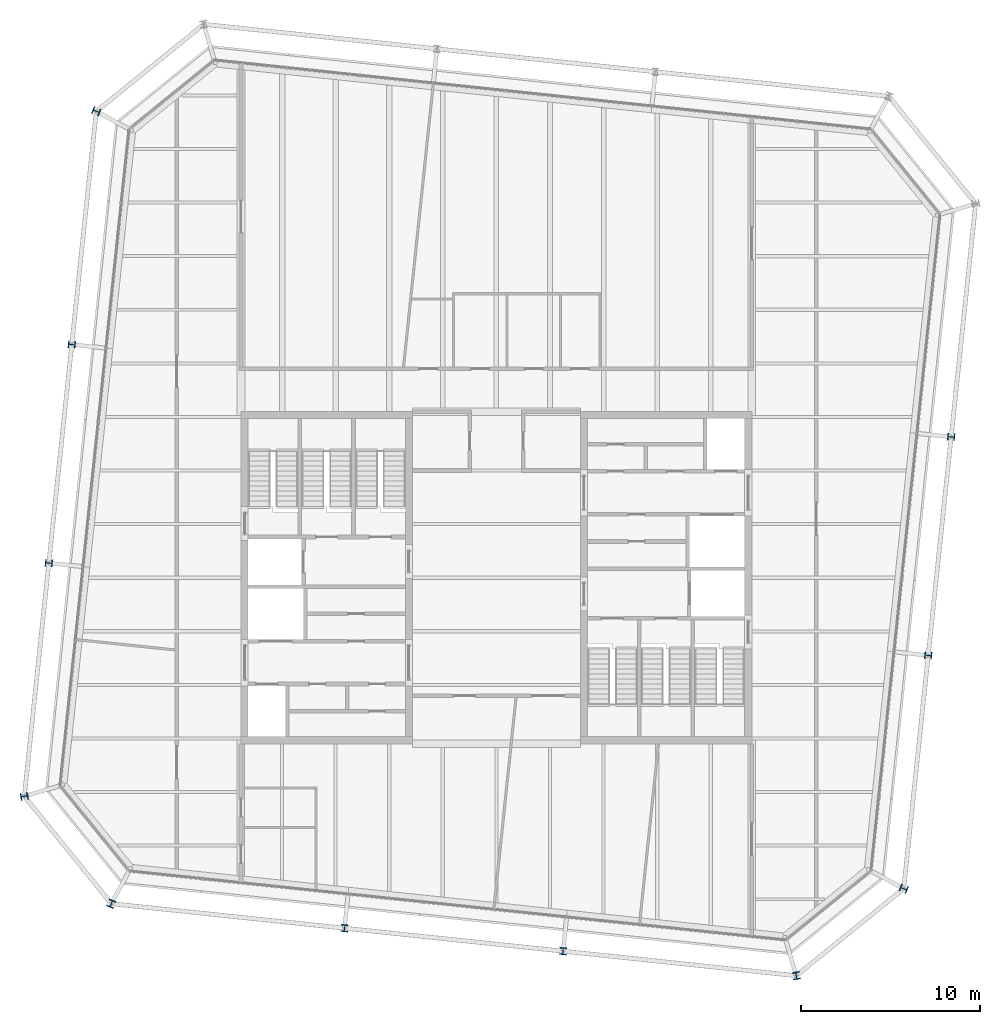
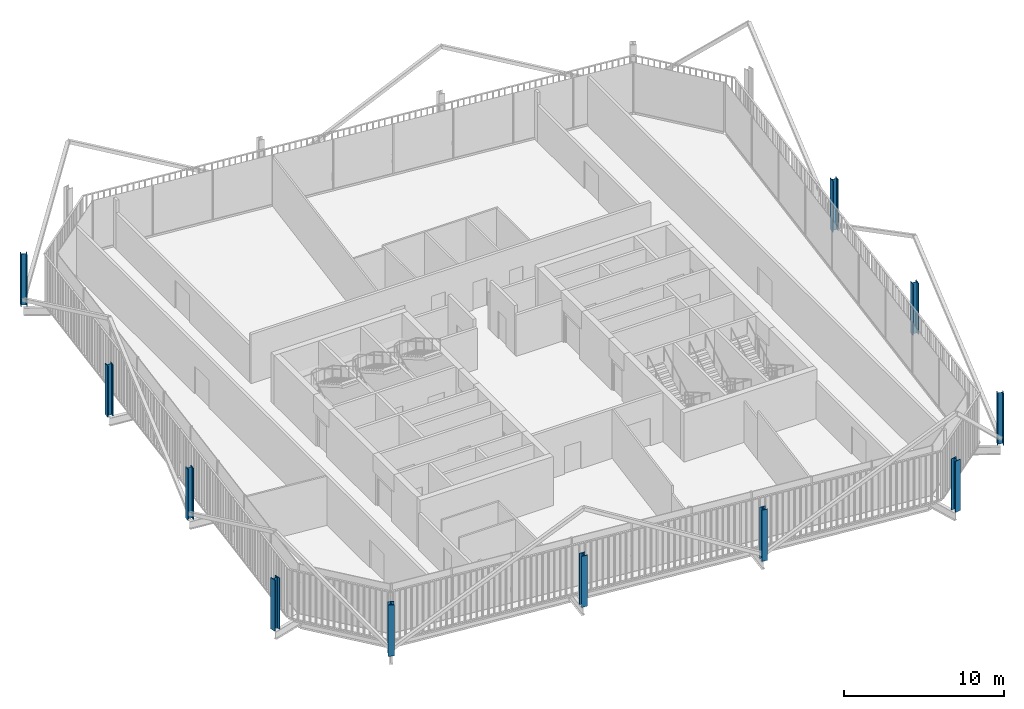
# One storey, part 1 of 21: 11 columns.
"""IFC4 building model written with IfcOpenShell, lengths in metres."""

from ifc_helpers import new_model, si_unit, direction, frame, origin, origin_2d, place, context, subcontext, project, spatial, i_section, extrude, material, material_profile, profile_set, type_object, element, save


model = new_model("IFC4")

# Units and contexts
model_context = context("Model", 3, precision=1e-05, world=origin(), true_north=direction((0.0, 1.0)))
body_context = subcontext(model_context, "Body", "Model", "MODEL_VIEW")
ifc_project = project(units=[si_unit("LENGTHUNIT", "METRE"), si_unit("AREAUNIT", "SQUARE_METRE"), si_unit("VOLUMEUNIT", "CUBIC_METRE"), si_unit("PLANEANGLEUNIT", "RADIAN"), si_unit("MASSUNIT", "GRAM", prefix="KILO")], contexts=[model_context])

# Site, building, storey
site_placement = place(None, origin())
site = spatial("IfcSite", under=ifc_project, at=site_placement, CompositionType="ELEMENT")
building_placement = place(site_placement, origin())
building = spatial("IfcBuilding", under=site, at=building_placement, Name="Millrace Tower", CompositionType="ELEMENT")
storey_placement = place(building_placement, frame((0.0, 0.0, 318.699951171875)))
storey = spatial("IfcBuildingStorey", under=building, at=storey_placement, Name="L73", CompositionType="ELEMENT", Elevation=318.699951171875)

# Columns
ifc_material_1 = material(Name="Steel ASTM A913 Grade 65", Category="steel")
ifc_material_profile_1 = material_profile(ifc_material_1, i_section(OverallWidth=0.4013671875, OverallDepth=0.398681640625, WebThickness=0.02490234375, FlangeThickness=0.03955078125, FilletRadius=0.01513671875, at=origin_2d()))
ifc_profile_set_1 = profile_set([ifc_material_profile_1], Name="Steel ASTM A913 Grade 65")
column_type_1 = type_object("IfcColumnType", Name="Exoskeleton column W14x211", PredefinedType="COLUMN", material=ifc_profile_set_1)
for number, where, z_axis, x_axis, name in (
    (1, (-8.50341796875, -19.62158203125, 0.0), (0.0, 0.0, 1.0), (0.994521897246, -0.104528445407, 0.0), "COL-E-L73-X03"),
    (2, (3.729248046875, -20.9072265625, 0.0), (0.0, 0.0, 1.0), (0.994521897246, -0.104528445407, 0.0), "COL-E-L73-X04"),
    (3, (24.171630859375, -4.353271484375, 0.0), (0.0, 0.0, 1.0), (0.104528445407, 0.994521897246, 0.0), "COL-E-L73-X07"),
    (4, (25.457275390625, 7.879150390625, 0.0), (0.0, 0.0, 1.0), (0.104528445407, 0.994521897246, 0.0), "COL-E-L73-X08"),
    (5, (-23.771484375, 13.053466796875, 0.0), (0.0, 0.0, 1.0), (-0.104528445407, -0.994521897246, 0.0), "COL-E-L73-X15"),
    (6, (-25.057373046875, 0.82080078125, 0.0), (0.0, 0.0, 1.0), (-0.104528445407, -0.994521897246, 0.0), "COL-E-L73-X16"),
):
    element("IfcColumn", number, at=place(storey_placement, frame(where, z_axis=z_axis, x_axis=x_axis)), inside=storey, type_object=column_type_1, Name=name, PredefinedType="COLUMN", context=body_context, shape_type="SweptSolid", body=[
        extrude(i_section(OverallWidth=0.4013671875, OverallDepth=0.398681640625, WebThickness=0.02490234375, FlangeThickness=0.03955078125, FilletRadius=0.01513671875, at=origin_2d()), origin(), (0.0, 0.0, 1.0), 3.900146484375),
    ])
ifc_material_2 = material(Name="Steel ASTM A913 Grade 65", Category="steel")
ifc_material_profile_2 = material_profile(ifc_material_2, i_section(OverallWidth=0.406494140625, OverallDepth=0.41650390625, WebThickness=0.030029296875, FlangeThickness=0.048095703125, FilletRadius=0.01513671875, at=origin_2d()))
ifc_profile_set_2 = profile_set([ifc_material_profile_2], Name="Steel ASTM A913 Grade 65")
column_type_2 = type_object("IfcColumnType", Name="Exoskeleton column W14x257", PredefinedType="COLUMN", material=ifc_profile_set_2)
for number, where, z_axis, x_axis, name in (
    (7, (-26.429443359375, -12.23583984375, 0.0), (0.0, 0.0, 1.0), (0.18038747256, -0.983595628164, 0.0), "COL-E-L73-X01"),
    (8, (-21.559814453125, -18.249267578125, 0.0), (0.0, 0.0, 1.0), (0.92459700658, -0.380946683176, 0.0), "COL-E-L73-X02"),
    (9, (16.78564453125, -22.279541015625, 0.0), (0.0, 0.0, 1.0), (0.983595628164, 0.18038747256, 0.0), "COL-E-L73-X05"),
    (10, (22.79931640625, -17.409912109375, 0.0), (0.0, 0.0, 1.0), (0.380946683176, 0.92459700658, 0.0), "COL-E-L73-X06"),
    (11, (-22.399169921875, 26.10986328125, 0.0), (0.0, 0.0, 1.0), (-0.380946683176, -0.92459700658, 0.0), "COL-E-L73-X14"),
):
    element("IfcColumn", number, at=place(storey_placement, frame(where, z_axis=z_axis, x_axis=x_axis)), inside=storey, type_object=column_type_2, Name=name, PredefinedType="COLUMN", context=body_context, shape_type="SweptSolid", body=[
        extrude(i_section(OverallWidth=0.406494140625, OverallDepth=0.41650390625, WebThickness=0.030029296875, FlangeThickness=0.048095703125, FilletRadius=0.01513671875, at=origin_2d()), origin(), (0.0, 0.0, 1.0), 3.900146484375),
    ])

save(model, "model.ifc")
